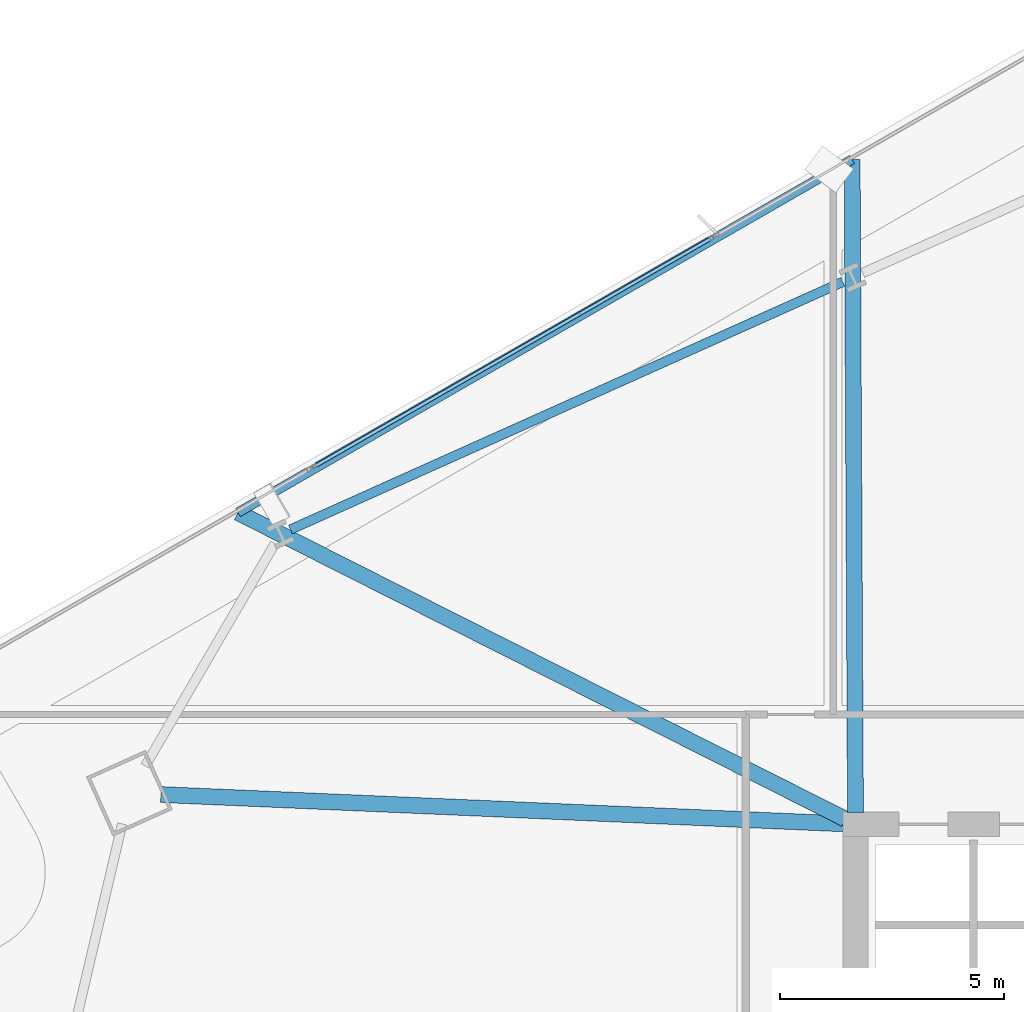
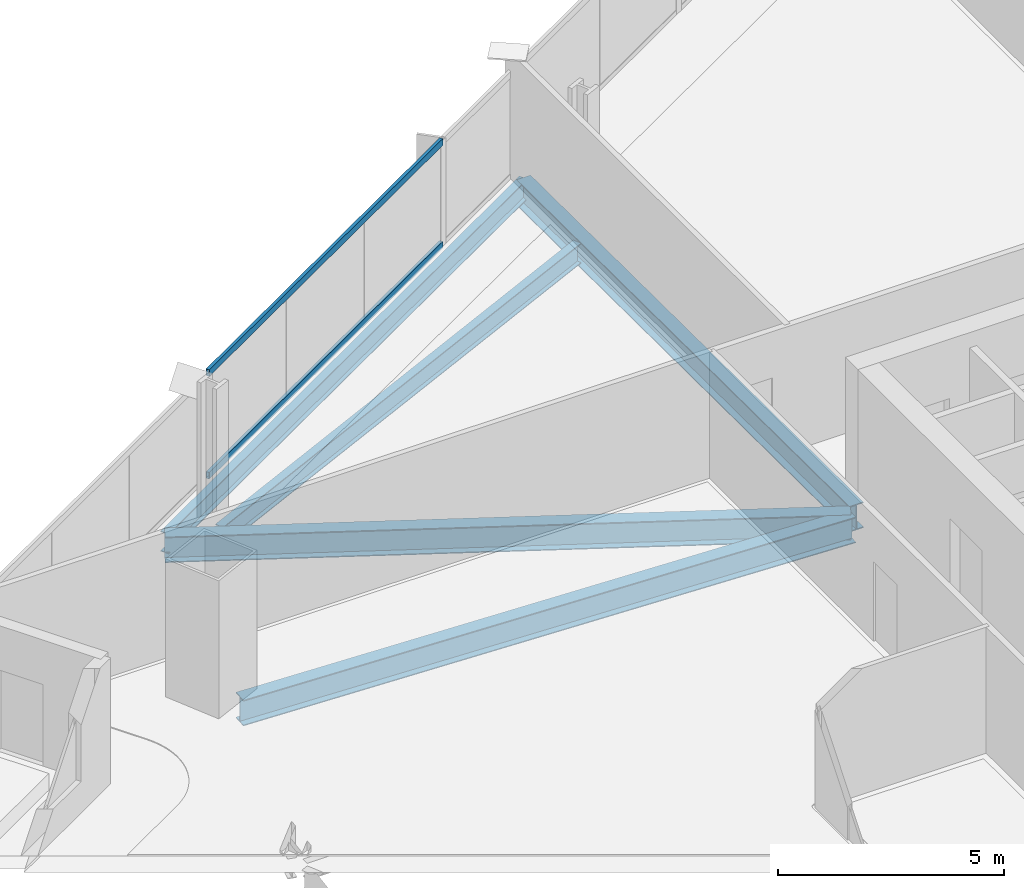
# One storey, part 14 of 33: 5 beams, 2 members, 1 element without a shape of its own.
"""IFC4 building model written with IfcOpenShell, lengths in metres."""

from ifc_helpers import new_model, si_unit, direction, frame, origin, origin_2d, place, context, subcontext, project, spatial, hollow_rectangle, i_section, extrude, material, material_profile, profile_set, type_object, element, aggregate, save


model = new_model("IFC4")

# Units and contexts
model_context = context("Model", 3, precision=1e-05, world=origin(), true_north=direction((0.0, 1.0)))
body_context = subcontext(model_context, "Body", "Model", "MODEL_VIEW")
ifc_project = project(units=[si_unit("LENGTHUNIT", "METRE"), si_unit("AREAUNIT", "SQUARE_METRE"), si_unit("VOLUMEUNIT", "CUBIC_METRE"), si_unit("PLANEANGLEUNIT", "RADIAN"), si_unit("MASSUNIT", "GRAM", prefix="KILO")], contexts=[model_context])

# Site, building, storey
site_placement = place(None, origin())
site = spatial("IfcSite", under=ifc_project, at=site_placement, CompositionType="ELEMENT")
building_placement = place(site_placement, origin())
building = spatial("IfcBuilding", under=site, at=building_placement, Name="Haldenkirk Collegiate Tower", CompositionType="ELEMENT")
storey_placement = place(building_placement, frame((0.0, 0.0, 127.949951171875)))
storey = spatial("IfcBuildingStorey", under=building, at=storey_placement, Name="L31", CompositionType="ELEMENT", Elevation=127.949951171875)

# Beams
ifc_material_1 = material(Name="Steel ASTM A992 Grade 50", Category="steel")
ifc_material_profile_1 = material_profile(ifc_material_1, i_section(OverallWidth=0.35498046875, OverallDepth=0.696044921875, WebThickness=0.015380859375, FlangeThickness=0.02490234375, at=origin_2d()), Name="W27X146")
ifc_profile_set_1 = profile_set([ifc_material_profile_1], Name="Steel ASTM A992 Grade 50")
beam_type_1 = type_object("IfcBeamType", Name="BM-GIRDER-W27X146", PredefinedType="BEAM", material=ifc_profile_set_1)
beam_1_placement = place(storey_placement, frame((11.489990234375, 34.6650390625, -0.64794921875), z_axis=(0.999082162822, -0.042834938212, 0.0), x_axis=(0.042834938212, 0.999082162822, 0.0)))
element("IfcBeam", 1, at=beam_1_placement, inside=storey, type_object=beam_type_1, Name="L31 primary floor girder 04", PredefinedType="BEAM", context=body_context, shape_type="SweptSolid", body=[
    extrude(i_section(OverallWidth=0.35498046875, OverallDepth=0.696044921875, WebThickness=0.015380859375, FlangeThickness=0.02490234375, at=origin_2d()), origin(), (0.0, 0.0, 1.0), 15.26904296875),
])
beam_2_placement = place(storey_placement, frame((26.92431640625, 48.846923828125, -0.64794921875), z_axis=(0.005102913365, -0.999986980053, 0.0), x_axis=(0.999986980053, 0.005102913365, 0.0)))
element("IfcBeam", 2, at=beam_2_placement, inside=storey, type_object=beam_type_1, Name="L31 primary floor girder 12", PredefinedType="BEAM", context=body_context, shape_type="SweptSolid", body=[
    extrude(i_section(OverallWidth=0.35498046875, OverallDepth=0.696044921875, WebThickness=0.015380859375, FlangeThickness=0.02490234375, at=origin_2d()), origin(), (0.0, 0.0, 1.0), 14.59228515625),
])
beam_3_placement = place(storey_placement, frame((13.21044921875, 40.961181640625, -0.64794921875), z_axis=(0.892704297801, -0.450642914832, 0.0), x_axis=(0.450642914832, 0.892704297801, 0.0)))
element("IfcBeam", 3, at=beam_3_placement, inside=storey, type_object=beam_type_1, Name="L31 primary floor girder 13", PredefinedType="BEAM", context=body_context, shape_type="SweptSolid", body=[
    extrude(i_section(OverallWidth=0.35498046875, OverallDepth=0.696044921875, WebThickness=0.015380859375, FlangeThickness=0.02490234375, at=origin_2d()), origin(), (0.0, 0.0, 1.0), 15.192138671875),
])
ifc_material_profile_2 = material_profile(ifc_material_1, i_section(OverallWidth=0.2119140625, OverallDepth=0.5439453125, WebThickness=0.01318359375, FlangeThickness=0.021240234375, at=origin_2d()), Name="W21X83")
ifc_profile_set_2 = profile_set([ifc_material_profile_2], Name="Steel ASTM A992 Grade 50")
beam_type_2 = type_object("IfcBeamType", Name="BM-SPANDREL-W21X83", PredefinedType="SPANDREL", material=ifc_profile_set_2)
beam_4_placement = place(storey_placement, frame((26.7138671875, 46.111083984375, -0.572021484375), z_axis=(-0.912476765144, -0.409128528793, 0.0), x_axis=(0.409128528793, -0.912476765144, 0.0)))
element("IfcBeam", 4, at=beam_4_placement, inside=storey, type_object=beam_type_2, Name="L31 perimeter spandrel beam 11", PredefinedType="SPANDREL", context=body_context, shape_type="SweptSolid", body=[
    extrude(i_section(OverallWidth=0.2119140625, OverallDepth=0.5439453125, WebThickness=0.01318359375, FlangeThickness=0.021240234375, at=origin_2d()), origin(), (0.0, 0.0, 1.0), 13.512939453125),
])
beam_5_placement = place(storey_placement, frame((26.92431640625, 48.846923828125, -0.572021484375), z_axis=(-0.866898967063, -0.498483882292, 0.0), x_axis=(0.498483882292, -0.866898967063, 0.0)))
element("IfcBeam", 5, at=beam_5_placement, inside=storey, type_object=beam_type_2, Name="L31 outer facade edge beam 3", PredefinedType="SPANDREL", context=body_context, shape_type="SweptSolid", body=[
    extrude(i_section(OverallWidth=0.2119140625, OverallDepth=0.5439453125, WebThickness=0.01318359375, FlangeThickness=0.021240234375, at=origin_2d()), origin(), (0.0, 0.0, 1.0), 15.8193359375),
])

# Curtain wall, members
ifc_material_2 = material(Name="Anodised architectural bronze aluminium", Category="aluminium")
curtain_wall_type = type_object("IfcCurtainWallType", Name="CW-SYS1-CONVEX-LOW", PredefinedType="USERDEFINED", material=ifc_material_2)
curtain_wall_placement = place(storey_placement, origin())
curtain_wall = element("IfcCurtainWall", 6, at=curtain_wall_placement, inside=storey, type_object=curtain_wall_type, Name="L31 Lower tower convex bronze-framed unitised curtain wall", ObjectType="UNITISED CURTAIN WALL", PredefinedType="USERDEFINED")
ifc_material_profile_3 = material_profile(ifc_material_2, hollow_rectangle(XDim=0.080078125, YDim=0.179931640625, WallThickness=0.0048828125, at=origin_2d()), Name="CW-TRN-1A")
ifc_profile_set_3 = profile_set([ifc_material_profile_3], Name="Anodised architectural bronze aluminium")
member_type = type_object("IfcMemberType", Name="CW-TRN-1A", PredefinedType="USERDEFINED", material=ifc_profile_set_3)
member_1_placement = place(storey_placement, frame((14.892333984375, 41.974365234375, 0.0400390625), z_axis=(0.866892980966, 0.498494292397, 0.0), x_axis=(-0.498494292397, 0.866892980966, 0.0)))
member_1 = element("IfcMember", 7, at=member_1_placement, type_object=member_type, Name="CW-1A transom 2.1", ObjectType="TRANSOM", PredefinedType="USERDEFINED", context=body_context, shape_type="SweptSolid", body=[
    extrude(hollow_rectangle(XDim=0.080078125, YDim=0.179931640625, WallThickness=0.0048828125, at=origin_2d()), origin(), (0.0, 0.0, 1.0), 10.295166015625),
])
member_2_placement = place(storey_placement, frame((14.892333984375, 41.974365234375, 2.81103515625), z_axis=(0.866892980966, 0.498494292397, 0.0), x_axis=(-0.498494292397, 0.866892980966, 0.0)))
member_2 = element("IfcMember", 8, at=member_2_placement, type_object=member_type, Name="CW-1A transom 2.2", ObjectType="TRANSOM", PredefinedType="USERDEFINED", context=body_context, shape_type="SweptSolid", body=[
    extrude(hollow_rectangle(XDim=0.080078125, YDim=0.179931640625, WallThickness=0.0048828125, at=origin_2d()), origin(), (0.0, 0.0, 1.0), 10.295166015625),
])
aggregate(curtain_wall, [member_1, member_2])

save(model, "model.ifc")
